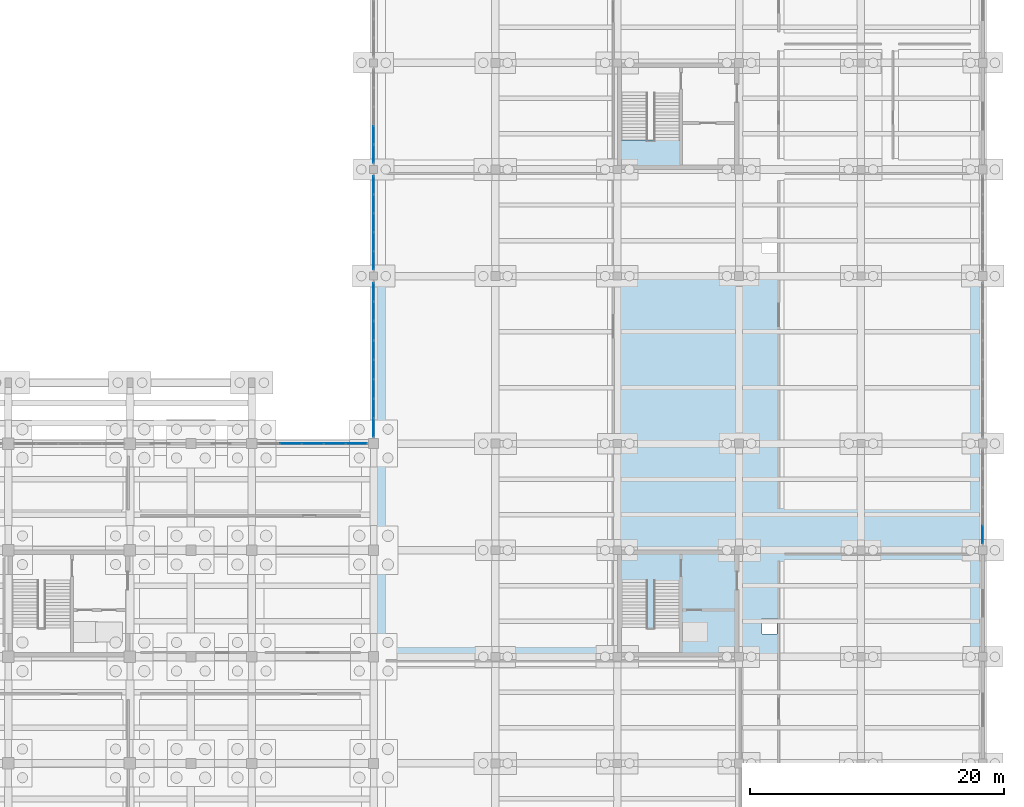
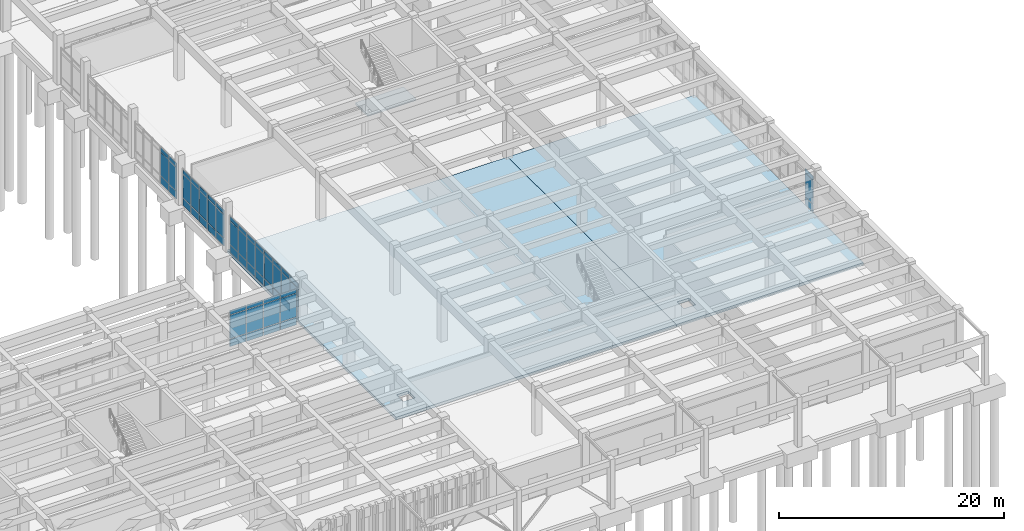
# One storey, part 63 of 102: 60 plates, 3 slabs, 6 elements without a shape of their own.
"""IFC4 building model written with IfcOpenShell, lengths in metres."""

from ifc_helpers import new_model, si_unit, direction, frame, origin, origin_2d, place, context, subcontext, project, spatial, polyline, rectangle, outline, extrude, material, layer, layer_set, type_object, element, aggregate, save


model = new_model("IFC4")

# Units and contexts
model_context = context("Model", 3, precision=1e-05, world=origin(), true_north=direction((0.0, 1.0)))
body_context = subcontext(model_context, "Body", "Model", "MODEL_VIEW")
ifc_project = project(units=[si_unit("LENGTHUNIT", "METRE"), si_unit("AREAUNIT", "SQUARE_METRE"), si_unit("VOLUMEUNIT", "CUBIC_METRE"), si_unit("PLANEANGLEUNIT", "RADIAN"), si_unit("MASSUNIT", "GRAM", prefix="KILO")], contexts=[model_context])

# Site, building, storey
site_placement = place(None, origin())
site = spatial("IfcSite", under=ifc_project, at=site_placement, CompositionType="ELEMENT")
building_placement = place(site_placement, origin())
building = spatial("IfcBuilding", under=site, at=building_placement, Name="Kolvemor Railside Polytechnic", CompositionType="ELEMENT")
storey_placement = place(building_placement, origin())
storey = spatial("IfcBuildingStorey", under=building, at=storey_placement, Name="L00", CompositionType="ELEMENT", Elevation=0.0)

# Curtain wall, plates
ifc_material_1 = material(Name="Anodised marine aluminium and laminated low-E glass", Category="aluminium")
ifc_layer_1 = layer(ifc_material_1, 0.179931640625, Name="CW-UNIT-STD")
ifc_layer_set_1 = layer_set([ifc_layer_1], Name="Anodised marine aluminium and laminated low-E glass")
curtain_wall_type = type_object("IfcCurtainWallType", Name="CW-UNIT-STD", PredefinedType="USERDEFINED", material=ifc_layer_set_1)
curtain_wall_1_placement = place(storey_placement, origin())
curtain_wall_1 = element("IfcCurtainWall", 1, at=curtain_wall_1_placement, inside=storey, type_object=curtain_wall_type, Name="Curtain Wall L00-049", ObjectType="UNITISED CURTAIN WALL", PredefinedType="USERDEFINED")
ifc_material_2 = material(Name="Hurricane-laminated solar-control low-E glass", Category="glass")
ifc_layer_2 = layer(ifc_material_2, 0.0400390625, Name="CWP-GLZ-10")
ifc_layer_set_2 = layer_set([ifc_layer_2], Name="Hurricane-laminated solar-control low-E glass")
plate_type_1 = type_object("IfcPlateType", Name="CWP-GLZ-10", PredefinedType="CURTAIN_PANEL", material=ifc_layer_set_2)
plate_1_placement = place(storey_placement, frame((182.39990234375, 31.23486328125, 0.074951171875), z_axis=(0.0, 0.0, 1.0), x_axis=(0.0, 1.0, 0.0)))
plate_1 = element("IfcPlate", 2, at=plate_1_placement, type_object=plate_type_1, Name="CW-STD panel 1.1", PredefinedType="CURTAIN_PANEL", context=body_context, shape_type="SweptSolid", body=[
    extrude(rectangle(XDim=1.37939453125, YDim=0.0400390625, at=origin_2d()), origin(), (0.0, 0.0, 1.0), 0.78759765625),
])
plate_2_placement = place(storey_placement, frame((182.39990234375, 31.23486328125, 0.9375), z_axis=(0.0, 0.0, 1.0), x_axis=(0.0, 1.0, 0.0)))
plate_2 = element("IfcPlate", 3, at=plate_2_placement, type_object=plate_type_1, Name="CW-STD panel 1.2", PredefinedType="CURTAIN_PANEL", context=body_context, shape_type="SweptSolid", body=[
    extrude(rectangle(XDim=1.37939453125, YDim=0.0400390625, at=origin_2d()), origin(), (0.0, 0.0, 1.0), 2.514892578125),
])
plate_3_placement = place(storey_placement, frame((182.39990234375, 31.23486328125, 3.527587890625), z_axis=(0.0, 0.0, 1.0), x_axis=(0.0, 1.0, 0.0)))
plate_3 = element("IfcPlate", 4, at=plate_3_placement, type_object=plate_type_1, Name="CW-STD panel 1.3", PredefinedType="CURTAIN_PANEL", context=body_context, shape_type="SweptSolid", body=[
    extrude(rectangle(XDim=1.37939453125, YDim=0.0400390625, at=origin_2d()), origin(), (0.0, 0.0, 1.0), 0.4375),
])
aggregate(curtain_wall_1, [plate_1, plate_2, plate_3])

curtain_wall_2_placement = place(storey_placement, origin())
curtain_wall_2 = element("IfcCurtainWall", 5, at=curtain_wall_2_placement, inside=storey, type_object=curtain_wall_type, Name="Curtain Wall L00-112", ObjectType="UNITISED CURTAIN WALL", PredefinedType="USERDEFINED")
ifc_material_3 = material(Name="Hurricane-laminated solar-control low-E glass", Category="glass")
ifc_layer_3 = layer(ifc_material_3, 0.0439453125, Name="CWP-GLZ-12")
ifc_layer_set_3 = layer_set([ifc_layer_3], Name="Hurricane-laminated solar-control low-E glass")
plate_type_2 = type_object("IfcPlateType", Name="CWP-GLZ-12", PredefinedType="CURTAIN_PANEL", material=ifc_layer_set_3)
plate_4_placement = place(storey_placement, frame((133.0478515625, 38.39990234375, 0.06494140625), z_axis=(0.0, 0.0, 1.0), x_axis=(-1.0, 0.0, 0.0)))
plate_4 = element("IfcPlate", 6, at=plate_4_placement, type_object=plate_type_2, Name="CW-STD panel 1.1", PredefinedType="CURTAIN_PANEL", context=body_context, shape_type="SweptSolid", body=[
    extrude(rectangle(XDim=1.634521484375, YDim=0.0439453125, at=origin_2d()), origin(), (0.0, 0.0, 1.0), 0.802490234375),
])
plate_5_placement = place(storey_placement, frame((133.0478515625, 38.39990234375, 0.9326171875), z_axis=(0.0, 0.0, 1.0), x_axis=(-1.0, 0.0, 0.0)))
plate_5 = element("IfcPlate", 7, at=plate_5_placement, type_object=plate_type_2, Name="CW-STD panel 1.2", PredefinedType="CURTAIN_PANEL", context=body_context, shape_type="SweptSolid", body=[
    extrude(rectangle(XDim=1.634521484375, YDim=0.0439453125, at=origin_2d()), origin(), (0.0, 0.0, 1.0), 2.52490234375),
])
plate_6_placement = place(storey_placement, frame((133.0478515625, 38.39990234375, 3.5224609375), z_axis=(0.0, 0.0, 1.0), x_axis=(-1.0, 0.0, 0.0)))
plate_6 = element("IfcPlate", 8, at=plate_6_placement, type_object=plate_type_2, Name="CW-STD panel 1.3", PredefinedType="CURTAIN_PANEL", context=body_context, shape_type="SweptSolid", body=[
    extrude(rectangle(XDim=1.634521484375, YDim=0.0439453125, at=origin_2d()), origin(), (0.0, 0.0, 1.0), 0.452392578125),
])
plate_7_placement = place(storey_placement, frame((131.33203125, 38.39990234375, 0.06494140625), z_axis=(0.0, 0.0, 1.0), x_axis=(-1.0, 0.0, 0.0)))
plate_7 = element("IfcPlate", 9, at=plate_7_placement, type_object=plate_type_2, Name="CW-STD panel 2.1", PredefinedType="CURTAIN_PANEL", context=body_context, shape_type="SweptSolid", body=[
    extrude(rectangle(XDim=1.6669921875, YDim=0.0439453125, at=origin_2d()), origin(), (0.0, 0.0, 1.0), 0.802490234375),
])
plate_8_placement = place(storey_placement, frame((131.33203125, 38.39990234375, 0.9326171875), z_axis=(0.0, 0.0, 1.0), x_axis=(-1.0, 0.0, 0.0)))
plate_8 = element("IfcPlate", 10, at=plate_8_placement, type_object=plate_type_2, Name="CW-STD panel 2.2", PredefinedType="CURTAIN_PANEL", context=body_context, shape_type="SweptSolid", body=[
    extrude(rectangle(XDim=1.6669921875, YDim=0.0439453125, at=origin_2d()), origin(), (0.0, 0.0, 1.0), 2.52490234375),
])
plate_9_placement = place(storey_placement, frame((131.33203125, 38.39990234375, 3.5224609375), z_axis=(0.0, 0.0, 1.0), x_axis=(-1.0, 0.0, 0.0)))
plate_9 = element("IfcPlate", 11, at=plate_9_placement, type_object=plate_type_2, Name="CW-STD panel 2.3", PredefinedType="CURTAIN_PANEL", context=body_context, shape_type="SweptSolid", body=[
    extrude(rectangle(XDim=1.6669921875, YDim=0.0439453125, at=origin_2d()), origin(), (0.0, 0.0, 1.0), 0.452392578125),
])
plate_10_placement = place(storey_placement, frame((129.60009765625, 38.39990234375, 0.06494140625), z_axis=(0.0, 0.0, 1.0), x_axis=(-1.0, 0.0, 0.0)))
plate_10 = element("IfcPlate", 12, at=plate_10_placement, type_object=plate_type_2, Name="CW-STD panel 3.1", PredefinedType="CURTAIN_PANEL", context=body_context, shape_type="SweptSolid", body=[
    extrude(rectangle(XDim=1.6669921875, YDim=0.0439453125, at=origin_2d()), origin(), (0.0, 0.0, 1.0), 0.802490234375),
])
plate_11_placement = place(storey_placement, frame((129.60009765625, 38.39990234375, 0.9326171875), z_axis=(0.0, 0.0, 1.0), x_axis=(-1.0, 0.0, 0.0)))
plate_11 = element("IfcPlate", 13, at=plate_11_placement, type_object=plate_type_2, Name="CW-STD panel 3.2", PredefinedType="CURTAIN_PANEL", context=body_context, shape_type="SweptSolid", body=[
    extrude(rectangle(XDim=1.6669921875, YDim=0.0439453125, at=origin_2d()), origin(), (0.0, 0.0, 1.0), 2.52490234375),
])
plate_12_placement = place(storey_placement, frame((129.60009765625, 38.39990234375, 3.5224609375), z_axis=(0.0, 0.0, 1.0), x_axis=(-1.0, 0.0, 0.0)))
plate_12 = element("IfcPlate", 14, at=plate_12_placement, type_object=plate_type_2, Name="CW-STD panel 3.3", PredefinedType="CURTAIN_PANEL", context=body_context, shape_type="SweptSolid", body=[
    extrude(rectangle(XDim=1.6669921875, YDim=0.0439453125, at=origin_2d()), origin(), (0.0, 0.0, 1.0), 0.452392578125),
])
plate_13_placement = place(storey_placement, frame((127.867919921875, 38.39990234375, 0.06494140625), z_axis=(0.0, 0.0, 1.0), x_axis=(-1.0, 0.0, 0.0)))
plate_13 = element("IfcPlate", 15, at=plate_13_placement, type_object=plate_type_2, Name="CW-STD panel 4.1", PredefinedType="CURTAIN_PANEL", context=body_context, shape_type="SweptSolid", body=[
    extrude(rectangle(XDim=1.6669921875, YDim=0.0439453125, at=origin_2d()), origin(), (0.0, 0.0, 1.0), 0.802490234375),
])
plate_14_placement = place(storey_placement, frame((127.867919921875, 38.39990234375, 0.9326171875), z_axis=(0.0, 0.0, 1.0), x_axis=(-1.0, 0.0, 0.0)))
plate_14 = element("IfcPlate", 16, at=plate_14_placement, type_object=plate_type_2, Name="CW-STD panel 4.2", PredefinedType="CURTAIN_PANEL", context=body_context, shape_type="SweptSolid", body=[
    extrude(rectangle(XDim=1.6669921875, YDim=0.0439453125, at=origin_2d()), origin(), (0.0, 0.0, 1.0), 2.52490234375),
])
plate_15_placement = place(storey_placement, frame((127.867919921875, 38.39990234375, 3.5224609375), z_axis=(0.0, 0.0, 1.0), x_axis=(-1.0, 0.0, 0.0)))
plate_15 = element("IfcPlate", 17, at=plate_15_placement, type_object=plate_type_2, Name="CW-STD panel 4.3", PredefinedType="CURTAIN_PANEL", context=body_context, shape_type="SweptSolid", body=[
    extrude(rectangle(XDim=1.6669921875, YDim=0.0439453125, at=origin_2d()), origin(), (0.0, 0.0, 1.0), 0.452392578125),
])
aggregate(curtain_wall_2, [plate_4, plate_5, plate_6, plate_7, plate_8, plate_9, plate_10, plate_11, plate_12, plate_13, plate_14, plate_15])

curtain_wall_3_placement = place(storey_placement, origin())
curtain_wall_3 = element("IfcCurtainWall", 18, at=curtain_wall_3_placement, inside=storey, type_object=curtain_wall_type, Name="Curtain Wall L00-060", ObjectType="UNITISED CURTAIN WALL", PredefinedType="USERDEFINED")
ifc_material_4 = material(Name="Hurricane-laminated solar-control low-E glass", Category="glass")
ifc_layer_4 = layer(ifc_material_4, 0.0458984375, Name="CWP-GLZ-13")
ifc_layer_set_4 = layer_set([ifc_layer_4], Name="Hurricane-laminated solar-control low-E glass")
plate_type_3 = type_object("IfcPlateType", Name="CWP-GLZ-13", PredefinedType="CURTAIN_PANEL", material=ifc_layer_set_4)
plate_16_placement = place(storey_placement, frame((134.39990234375, 50.344970703125, 0.074951171875), z_axis=(0.0, 0.0, 1.0), x_axis=(0.0, -1.0, 0.0)))
plate_16 = element("IfcPlate", 19, at=plate_16_placement, type_object=plate_type_3, Name="CW-STD panel 1.1", PredefinedType="CURTAIN_PANEL", context=body_context, shape_type="SweptSolid", body=[
    extrude(rectangle(XDim=1.419921875, YDim=0.0458984375, at=origin_2d()), origin(), (0.0, 0.0, 1.0), 0.78759765625),
])
plate_17_placement = place(storey_placement, frame((134.39990234375, 50.344970703125, 0.9375), z_axis=(0.0, 0.0, 1.0), x_axis=(0.0, -1.0, 0.0)))
plate_17 = element("IfcPlate", 20, at=plate_17_placement, type_object=plate_type_3, Name="CW-STD panel 1.2", PredefinedType="CURTAIN_PANEL", context=body_context, shape_type="SweptSolid", body=[
    extrude(rectangle(XDim=1.419921875, YDim=0.0458984375, at=origin_2d()), origin(), (0.0, 0.0, 1.0), 2.514892578125),
])
plate_18_placement = place(storey_placement, frame((134.39990234375, 50.344970703125, 3.527587890625), z_axis=(0.0, 0.0, 1.0), x_axis=(0.0, -1.0, 0.0)))
plate_18 = element("IfcPlate", 21, at=plate_18_placement, type_object=plate_type_3, Name="CW-STD panel 1.3", PredefinedType="CURTAIN_PANEL", context=body_context, shape_type="SweptSolid", body=[
    extrude(rectangle(XDim=1.419921875, YDim=0.0458984375, at=origin_2d()), origin(), (0.0, 0.0, 1.0), 0.4375),
])
plate_19_placement = place(storey_placement, frame((134.39990234375, 48.831298828125, 0.074951171875), z_axis=(0.0, 0.0, 1.0), x_axis=(0.0, -1.0, 0.0)))
plate_19 = element("IfcPlate", 22, at=plate_19_placement, type_object=plate_type_3, Name="CW-STD panel 2.1", PredefinedType="CURTAIN_PANEL", context=body_context, shape_type="SweptSolid", body=[
    extrude(rectangle(XDim=1.45751953125, YDim=0.0458984375, at=origin_2d()), origin(), (0.0, 0.0, 1.0), 0.78759765625),
])
plate_20_placement = place(storey_placement, frame((134.39990234375, 48.831298828125, 0.9375), z_axis=(0.0, 0.0, 1.0), x_axis=(0.0, -1.0, 0.0)))
plate_20 = element("IfcPlate", 23, at=plate_20_placement, type_object=plate_type_3, Name="CW-STD panel 2.2", PredefinedType="CURTAIN_PANEL", context=body_context, shape_type="SweptSolid", body=[
    extrude(rectangle(XDim=1.45751953125, YDim=0.0458984375, at=origin_2d()), origin(), (0.0, 0.0, 1.0), 2.514892578125),
])
plate_21_placement = place(storey_placement, frame((134.39990234375, 48.831298828125, 3.527587890625), z_axis=(0.0, 0.0, 1.0), x_axis=(0.0, -1.0, 0.0)))
plate_21 = element("IfcPlate", 24, at=plate_21_placement, type_object=plate_type_3, Name="CW-STD panel 2.3", PredefinedType="CURTAIN_PANEL", context=body_context, shape_type="SweptSolid", body=[
    extrude(rectangle(XDim=1.45751953125, YDim=0.0458984375, at=origin_2d()), origin(), (0.0, 0.0, 1.0), 0.4375),
])
plate_22_placement = place(storey_placement, frame((134.39990234375, 47.298828125, 0.074951171875), z_axis=(0.0, 0.0, 1.0), x_axis=(0.0, -1.0, 0.0)))
plate_22 = element("IfcPlate", 25, at=plate_22_placement, type_object=plate_type_3, Name="CW-STD panel 3.1", PredefinedType="CURTAIN_PANEL", context=body_context, shape_type="SweptSolid", body=[
    extrude(rectangle(XDim=1.45751953125, YDim=0.0458984375, at=origin_2d()), origin(), (0.0, 0.0, 1.0), 0.78759765625),
])
plate_23_placement = place(storey_placement, frame((134.39990234375, 47.298828125, 0.9375), z_axis=(0.0, 0.0, 1.0), x_axis=(0.0, -1.0, 0.0)))
plate_23 = element("IfcPlate", 26, at=plate_23_placement, type_object=plate_type_3, Name="CW-STD panel 3.2", PredefinedType="CURTAIN_PANEL", context=body_context, shape_type="SweptSolid", body=[
    extrude(rectangle(XDim=1.45751953125, YDim=0.0458984375, at=origin_2d()), origin(), (0.0, 0.0, 1.0), 2.514892578125),
])
plate_24_placement = place(storey_placement, frame((134.39990234375, 47.298828125, 3.527587890625), z_axis=(0.0, 0.0, 1.0), x_axis=(0.0, -1.0, 0.0)))
plate_24 = element("IfcPlate", 27, at=plate_24_placement, type_object=plate_type_3, Name="CW-STD panel 3.3", PredefinedType="CURTAIN_PANEL", context=body_context, shape_type="SweptSolid", body=[
    extrude(rectangle(XDim=1.45751953125, YDim=0.0458984375, at=origin_2d()), origin(), (0.0, 0.0, 1.0), 0.4375),
])
plate_25_placement = place(storey_placement, frame((134.39990234375, 45.766357421875, 0.074951171875), z_axis=(0.0, 0.0, 1.0), x_axis=(0.0, -1.0, 0.0)))
plate_25 = element("IfcPlate", 28, at=plate_25_placement, type_object=plate_type_3, Name="CW-STD panel 4.1", PredefinedType="CURTAIN_PANEL", context=body_context, shape_type="SweptSolid", body=[
    extrude(rectangle(XDim=1.45751953125, YDim=0.0458984375, at=origin_2d()), origin(), (0.0, 0.0, 1.0), 0.78759765625),
])
plate_26_placement = place(storey_placement, frame((134.39990234375, 45.766357421875, 0.9375), z_axis=(0.0, 0.0, 1.0), x_axis=(0.0, -1.0, 0.0)))
plate_26 = element("IfcPlate", 29, at=plate_26_placement, type_object=plate_type_3, Name="CW-STD panel 4.2", PredefinedType="CURTAIN_PANEL", context=body_context, shape_type="SweptSolid", body=[
    extrude(rectangle(XDim=1.45751953125, YDim=0.0458984375, at=origin_2d()), origin(), (0.0, 0.0, 1.0), 2.514892578125),
])
plate_27_placement = place(storey_placement, frame((134.39990234375, 45.766357421875, 3.527587890625), z_axis=(0.0, 0.0, 1.0), x_axis=(0.0, -1.0, 0.0)))
plate_27 = element("IfcPlate", 30, at=plate_27_placement, type_object=plate_type_3, Name="CW-STD panel 4.3", PredefinedType="CURTAIN_PANEL", context=body_context, shape_type="SweptSolid", body=[
    extrude(rectangle(XDim=1.45751953125, YDim=0.0458984375, at=origin_2d()), origin(), (0.0, 0.0, 1.0), 0.4375),
])
plate_28_placement = place(storey_placement, frame((134.39990234375, 44.233642578125, 0.074951171875), z_axis=(0.0, 0.0, 1.0), x_axis=(0.0, -1.0, 0.0)))
plate_28 = element("IfcPlate", 31, at=plate_28_placement, type_object=plate_type_3, Name="CW-STD panel 5.1", PredefinedType="CURTAIN_PANEL", context=body_context, shape_type="SweptSolid", body=[
    extrude(rectangle(XDim=1.45751953125, YDim=0.0458984375, at=origin_2d()), origin(), (0.0, 0.0, 1.0), 0.78759765625),
])
plate_29_placement = place(storey_placement, frame((134.39990234375, 44.233642578125, 0.9375), z_axis=(0.0, 0.0, 1.0), x_axis=(0.0, -1.0, 0.0)))
plate_29 = element("IfcPlate", 32, at=plate_29_placement, type_object=plate_type_3, Name="CW-STD panel 5.2", PredefinedType="CURTAIN_PANEL", context=body_context, shape_type="SweptSolid", body=[
    extrude(rectangle(XDim=1.45751953125, YDim=0.0458984375, at=origin_2d()), origin(), (0.0, 0.0, 1.0), 2.514892578125),
])
plate_30_placement = place(storey_placement, frame((134.39990234375, 44.233642578125, 3.527587890625), z_axis=(0.0, 0.0, 1.0), x_axis=(0.0, -1.0, 0.0)))
plate_30 = element("IfcPlate", 33, at=plate_30_placement, type_object=plate_type_3, Name="CW-STD panel 5.3", PredefinedType="CURTAIN_PANEL", context=body_context, shape_type="SweptSolid", body=[
    extrude(rectangle(XDim=1.45751953125, YDim=0.0458984375, at=origin_2d()), origin(), (0.0, 0.0, 1.0), 0.4375),
])
plate_31_placement = place(storey_placement, frame((134.39990234375, 42.701171875, 0.074951171875), z_axis=(0.0, 0.0, 1.0), x_axis=(0.0, -1.0, 0.0)))
plate_31 = element("IfcPlate", 34, at=plate_31_placement, type_object=plate_type_3, Name="CW-STD panel 6.1", PredefinedType="CURTAIN_PANEL", context=body_context, shape_type="SweptSolid", body=[
    extrude(rectangle(XDim=1.45751953125, YDim=0.0458984375, at=origin_2d()), origin(), (0.0, 0.0, 1.0), 0.78759765625),
])
plate_32_placement = place(storey_placement, frame((134.39990234375, 42.701171875, 0.9375), z_axis=(0.0, 0.0, 1.0), x_axis=(0.0, -1.0, 0.0)))
plate_32 = element("IfcPlate", 35, at=plate_32_placement, type_object=plate_type_3, Name="CW-STD panel 6.2", PredefinedType="CURTAIN_PANEL", context=body_context, shape_type="SweptSolid", body=[
    extrude(rectangle(XDim=1.45751953125, YDim=0.0458984375, at=origin_2d()), origin(), (0.0, 0.0, 1.0), 2.514892578125),
])
plate_33_placement = place(storey_placement, frame((134.39990234375, 42.701171875, 3.527587890625), z_axis=(0.0, 0.0, 1.0), x_axis=(0.0, -1.0, 0.0)))
plate_33 = element("IfcPlate", 36, at=plate_33_placement, type_object=plate_type_3, Name="CW-STD panel 6.3", PredefinedType="CURTAIN_PANEL", context=body_context, shape_type="SweptSolid", body=[
    extrude(rectangle(XDim=1.45751953125, YDim=0.0458984375, at=origin_2d()), origin(), (0.0, 0.0, 1.0), 0.4375),
])
plate_34_placement = place(storey_placement, frame((134.39990234375, 41.168701171875, 0.074951171875), z_axis=(0.0, 0.0, 1.0), x_axis=(0.0, -1.0, 0.0)))
plate_34 = element("IfcPlate", 37, at=plate_34_placement, type_object=plate_type_3, Name="CW-STD panel 7.1", PredefinedType="CURTAIN_PANEL", context=body_context, shape_type="SweptSolid", body=[
    extrude(rectangle(XDim=1.45751953125, YDim=0.0458984375, at=origin_2d()), origin(), (0.0, 0.0, 1.0), 0.78759765625),
])
plate_35_placement = place(storey_placement, frame((134.39990234375, 41.168701171875, 0.9375), z_axis=(0.0, 0.0, 1.0), x_axis=(0.0, -1.0, 0.0)))
plate_35 = element("IfcPlate", 38, at=plate_35_placement, type_object=plate_type_3, Name="CW-STD panel 7.2", PredefinedType="CURTAIN_PANEL", context=body_context, shape_type="SweptSolid", body=[
    extrude(rectangle(XDim=1.45751953125, YDim=0.0458984375, at=origin_2d()), origin(), (0.0, 0.0, 1.0), 2.514892578125),
])
plate_36_placement = place(storey_placement, frame((134.39990234375, 41.168701171875, 3.527587890625), z_axis=(0.0, 0.0, 1.0), x_axis=(0.0, -1.0, 0.0)))
plate_36 = element("IfcPlate", 39, at=plate_36_placement, type_object=plate_type_3, Name="CW-STD panel 7.3", PredefinedType="CURTAIN_PANEL", context=body_context, shape_type="SweptSolid", body=[
    extrude(rectangle(XDim=1.45751953125, YDim=0.0458984375, at=origin_2d()), origin(), (0.0, 0.0, 1.0), 0.4375),
])
plate_37_placement = place(storey_placement, frame((134.39990234375, 39.655029296875, 0.074951171875), z_axis=(0.0, 0.0, 1.0), x_axis=(0.0, -1.0, 0.0)))
plate_37 = element("IfcPlate", 40, at=plate_37_placement, type_object=plate_type_3, Name="CW-STD panel 8.1", PredefinedType="CURTAIN_PANEL", context=body_context, shape_type="SweptSolid", body=[
    extrude(rectangle(XDim=1.419921875, YDim=0.0458984375, at=origin_2d()), origin(), (0.0, 0.0, 1.0), 0.78759765625),
])
plate_38_placement = place(storey_placement, frame((134.39990234375, 39.655029296875, 0.9375), z_axis=(0.0, 0.0, 1.0), x_axis=(0.0, -1.0, 0.0)))
plate_38 = element("IfcPlate", 41, at=plate_38_placement, type_object=plate_type_3, Name="CW-STD panel 8.2", PredefinedType="CURTAIN_PANEL", context=body_context, shape_type="SweptSolid", body=[
    extrude(rectangle(XDim=1.419921875, YDim=0.0458984375, at=origin_2d()), origin(), (0.0, 0.0, 1.0), 2.514892578125),
])
plate_39_placement = place(storey_placement, frame((134.39990234375, 39.655029296875, 3.527587890625), z_axis=(0.0, 0.0, 1.0), x_axis=(0.0, -1.0, 0.0)))
plate_39 = element("IfcPlate", 42, at=plate_39_placement, type_object=plate_type_3, Name="CW-STD panel 8.3", PredefinedType="CURTAIN_PANEL", context=body_context, shape_type="SweptSolid", body=[
    extrude(rectangle(XDim=1.419921875, YDim=0.0458984375, at=origin_2d()), origin(), (0.0, 0.0, 1.0), 0.4375),
])
aggregate(curtain_wall_3, [plate_16, plate_17, plate_18, plate_19, plate_20, plate_21, plate_22, plate_23, plate_24, plate_25, plate_26, plate_27, plate_28, plate_29, plate_30, plate_31, plate_32, plate_33, plate_34, plate_35, plate_36, plate_37, plate_38, plate_39])

curtain_wall_4_placement = place(storey_placement, origin())
curtain_wall_4 = element("IfcCurtainWall", 43, at=curtain_wall_4_placement, inside=storey, type_object=curtain_wall_type, Name="Curtain Wall L00-070", ObjectType="UNITISED CURTAIN WALL", PredefinedType="USERDEFINED")
ifc_material_5 = material(Name="Hurricane-laminated solar-control low-E glass", Category="glass")
ifc_layer_5 = layer(ifc_material_5, 0.048095703125, Name="CWP-GLZ-14")
ifc_layer_set_5 = layer_set([ifc_layer_5], Name="Hurricane-laminated solar-control low-E glass")
plate_type_4 = type_object("IfcPlateType", Name="CWP-GLZ-14", PredefinedType="CURTAIN_PANEL", material=ifc_layer_set_5)
plate_40_placement = place(storey_placement, frame((134.39990234375, 58.76513671875, 0.074951171875), z_axis=(0.0, 0.0, 1.0), x_axis=(0.0, -1.0, 0.0)))
plate_40 = element("IfcPlate", 44, at=plate_40_placement, type_object=plate_type_4, Name="CW-STD panel 1.1", PredefinedType="CURTAIN_PANEL", context=body_context, shape_type="SweptSolid", body=[
    extrude(rectangle(XDim=1.37939453125, YDim=0.048095703125, at=origin_2d()), origin(), (0.0, 0.0, 1.0), 0.78759765625),
])
plate_41_placement = place(storey_placement, frame((134.39990234375, 58.76513671875, 0.9375), z_axis=(0.0, 0.0, 1.0), x_axis=(0.0, -1.0, 0.0)))
plate_41 = element("IfcPlate", 45, at=plate_41_placement, type_object=plate_type_4, Name="CW-STD panel 1.2", PredefinedType="CURTAIN_PANEL", context=body_context, shape_type="SweptSolid", body=[
    extrude(rectangle(XDim=1.37939453125, YDim=0.048095703125, at=origin_2d()), origin(), (0.0, 0.0, 1.0), 2.514892578125),
])
plate_42_placement = place(storey_placement, frame((134.39990234375, 58.76513671875, 3.527587890625), z_axis=(0.0, 0.0, 1.0), x_axis=(0.0, -1.0, 0.0)))
plate_42 = element("IfcPlate", 46, at=plate_42_placement, type_object=plate_type_4, Name="CW-STD panel 1.3", PredefinedType="CURTAIN_PANEL", context=body_context, shape_type="SweptSolid", body=[
    extrude(rectangle(XDim=1.37939453125, YDim=0.048095703125, at=origin_2d()), origin(), (0.0, 0.0, 1.0), 0.4375),
])
plate_43_placement = place(storey_placement, frame((134.39990234375, 57.2919921875, 0.074951171875), z_axis=(0.0, 0.0, 1.0), x_axis=(0.0, -1.0, 0.0)))
plate_43 = element("IfcPlate", 47, at=plate_43_placement, type_object=plate_type_4, Name="CW-STD panel 2.1", PredefinedType="CURTAIN_PANEL", context=body_context, shape_type="SweptSolid", body=[
    extrude(rectangle(XDim=1.4169921875, YDim=0.048095703125, at=origin_2d()), origin(), (0.0, 0.0, 1.0), 0.78759765625),
])
plate_44_placement = place(storey_placement, frame((134.39990234375, 57.2919921875, 0.9375), z_axis=(0.0, 0.0, 1.0), x_axis=(0.0, -1.0, 0.0)))
plate_44 = element("IfcPlate", 48, at=plate_44_placement, type_object=plate_type_4, Name="CW-STD panel 2.2", PredefinedType="CURTAIN_PANEL", context=body_context, shape_type="SweptSolid", body=[
    extrude(rectangle(XDim=1.4169921875, YDim=0.048095703125, at=origin_2d()), origin(), (0.0, 0.0, 1.0), 2.514892578125),
])
plate_45_placement = place(storey_placement, frame((134.39990234375, 57.2919921875, 3.527587890625), z_axis=(0.0, 0.0, 1.0), x_axis=(0.0, -1.0, 0.0)))
plate_45 = element("IfcPlate", 49, at=plate_45_placement, type_object=plate_type_4, Name="CW-STD panel 2.3", PredefinedType="CURTAIN_PANEL", context=body_context, shape_type="SweptSolid", body=[
    extrude(rectangle(XDim=1.4169921875, YDim=0.048095703125, at=origin_2d()), origin(), (0.0, 0.0, 1.0), 0.4375),
])
plate_46_placement = place(storey_placement, frame((134.39990234375, 55.800048828125, 0.074951171875), z_axis=(0.0, 0.0, 1.0), x_axis=(0.0, -1.0, 0.0)))
plate_46 = element("IfcPlate", 50, at=plate_46_placement, type_object=plate_type_4, Name="CW-STD panel 3.1", PredefinedType="CURTAIN_PANEL", context=body_context, shape_type="SweptSolid", body=[
    extrude(rectangle(XDim=1.4169921875, YDim=0.048095703125, at=origin_2d()), origin(), (0.0, 0.0, 1.0), 0.78759765625),
])
plate_47_placement = place(storey_placement, frame((134.39990234375, 55.800048828125, 0.9375), z_axis=(0.0, 0.0, 1.0), x_axis=(0.0, -1.0, 0.0)))
plate_47 = element("IfcPlate", 51, at=plate_47_placement, type_object=plate_type_4, Name="CW-STD panel 3.2", PredefinedType="CURTAIN_PANEL", context=body_context, shape_type="SweptSolid", body=[
    extrude(rectangle(XDim=1.4169921875, YDim=0.048095703125, at=origin_2d()), origin(), (0.0, 0.0, 1.0), 2.514892578125),
])
plate_48_placement = place(storey_placement, frame((134.39990234375, 55.800048828125, 3.527587890625), z_axis=(0.0, 0.0, 1.0), x_axis=(0.0, -1.0, 0.0)))
plate_48 = element("IfcPlate", 52, at=plate_48_placement, type_object=plate_type_4, Name="CW-STD panel 3.3", PredefinedType="CURTAIN_PANEL", context=body_context, shape_type="SweptSolid", body=[
    extrude(rectangle(XDim=1.4169921875, YDim=0.048095703125, at=origin_2d()), origin(), (0.0, 0.0, 1.0), 0.4375),
])
plate_49_placement = place(storey_placement, frame((134.39990234375, 54.30810546875, 0.074951171875), z_axis=(0.0, 0.0, 1.0), x_axis=(0.0, -1.0, 0.0)))
plate_49 = element("IfcPlate", 53, at=plate_49_placement, type_object=plate_type_4, Name="CW-STD panel 4.1", PredefinedType="CURTAIN_PANEL", context=body_context, shape_type="SweptSolid", body=[
    extrude(rectangle(XDim=1.4169921875, YDim=0.048095703125, at=origin_2d()), origin(), (0.0, 0.0, 1.0), 0.78759765625),
])
plate_50_placement = place(storey_placement, frame((134.39990234375, 54.30810546875, 0.9375), z_axis=(0.0, 0.0, 1.0), x_axis=(0.0, -1.0, 0.0)))
plate_50 = element("IfcPlate", 54, at=plate_50_placement, type_object=plate_type_4, Name="CW-STD panel 4.2", PredefinedType="CURTAIN_PANEL", context=body_context, shape_type="SweptSolid", body=[
    extrude(rectangle(XDim=1.4169921875, YDim=0.048095703125, at=origin_2d()), origin(), (0.0, 0.0, 1.0), 2.514892578125),
])
plate_51_placement = place(storey_placement, frame((134.39990234375, 54.30810546875, 3.527587890625), z_axis=(0.0, 0.0, 1.0), x_axis=(0.0, -1.0, 0.0)))
plate_51 = element("IfcPlate", 55, at=plate_51_placement, type_object=plate_type_4, Name="CW-STD panel 4.3", PredefinedType="CURTAIN_PANEL", context=body_context, shape_type="SweptSolid", body=[
    extrude(rectangle(XDim=1.4169921875, YDim=0.048095703125, at=origin_2d()), origin(), (0.0, 0.0, 1.0), 0.4375),
])
plate_52_placement = place(storey_placement, frame((134.39990234375, 52.834716796875, 0.074951171875), z_axis=(0.0, 0.0, 1.0), x_axis=(0.0, -1.0, 0.0)))
plate_52 = element("IfcPlate", 56, at=plate_52_placement, type_object=plate_type_4, Name="CW-STD panel 5.1", PredefinedType="CURTAIN_PANEL", context=body_context, shape_type="SweptSolid", body=[
    extrude(rectangle(XDim=1.37939453125, YDim=0.048095703125, at=origin_2d()), origin(), (0.0, 0.0, 1.0), 0.78759765625),
])
plate_53_placement = place(storey_placement, frame((134.39990234375, 52.834716796875, 0.9375), z_axis=(0.0, 0.0, 1.0), x_axis=(0.0, -1.0, 0.0)))
plate_53 = element("IfcPlate", 57, at=plate_53_placement, type_object=plate_type_4, Name="CW-STD panel 5.2", PredefinedType="CURTAIN_PANEL", context=body_context, shape_type="SweptSolid", body=[
    extrude(rectangle(XDim=1.37939453125, YDim=0.048095703125, at=origin_2d()), origin(), (0.0, 0.0, 1.0), 2.514892578125),
])
plate_54_placement = place(storey_placement, frame((134.39990234375, 52.834716796875, 3.527587890625), z_axis=(0.0, 0.0, 1.0), x_axis=(0.0, -1.0, 0.0)))
plate_54 = element("IfcPlate", 58, at=plate_54_placement, type_object=plate_type_4, Name="CW-STD panel 5.3", PredefinedType="CURTAIN_PANEL", context=body_context, shape_type="SweptSolid", body=[
    extrude(rectangle(XDim=1.37939453125, YDim=0.048095703125, at=origin_2d()), origin(), (0.0, 0.0, 1.0), 0.4375),
])
aggregate(curtain_wall_4, [plate_40, plate_41, plate_42, plate_43, plate_44, plate_45, plate_46, plate_47, plate_48, plate_49, plate_50, plate_51, plate_52, plate_53, plate_54])

curtain_wall_5_placement = place(storey_placement, origin())
curtain_wall_5 = element("IfcCurtainWall", 59, at=curtain_wall_5_placement, inside=storey, type_object=curtain_wall_type, Name="Curtain Wall L00-079", ObjectType="UNITISED CURTAIN WALL", PredefinedType="USERDEFINED")
ifc_material_6 = material(Name="Hurricane-laminated solar-control low-E glass", Category="glass")
ifc_layer_6 = layer(ifc_material_6, 0.050048828125, Name="CWP-GLZ-15")
ifc_layer_set_6 = layer_set([ifc_layer_6], Name="Hurricane-laminated solar-control low-E glass")
plate_type_5 = type_object("IfcPlateType", Name="CWP-GLZ-15", PredefinedType="CURTAIN_PANEL", material=ifc_layer_set_6)
plate_55_placement = place(storey_placement, frame((134.39990234375, 62.7080078125, 0.074951171875), z_axis=(0.0, 0.0, 1.0), x_axis=(0.0, -1.0, 0.0)))
plate_55 = element("IfcPlate", 60, at=plate_55_placement, type_object=plate_type_5, Name="CW-STD panel 4.1", PredefinedType="CURTAIN_PANEL", context=body_context, shape_type="SweptSolid", body=[
    extrude(rectangle(XDim=1.4169921875, YDim=0.050048828125, at=origin_2d()), origin(), (0.0, 0.0, 1.0), 0.78759765625),
])
plate_56_placement = place(storey_placement, frame((134.39990234375, 62.7080078125, 0.9375), z_axis=(0.0, 0.0, 1.0), x_axis=(0.0, -1.0, 0.0)))
plate_56 = element("IfcPlate", 61, at=plate_56_placement, type_object=plate_type_5, Name="CW-STD panel 4.2", PredefinedType="CURTAIN_PANEL", context=body_context, shape_type="SweptSolid", body=[
    extrude(rectangle(XDim=1.4169921875, YDim=0.050048828125, at=origin_2d()), origin(), (0.0, 0.0, 1.0), 2.514892578125),
])
plate_57_placement = place(storey_placement, frame((134.39990234375, 62.7080078125, 3.527587890625), z_axis=(0.0, 0.0, 1.0), x_axis=(0.0, -1.0, 0.0)))
plate_57 = element("IfcPlate", 62, at=plate_57_placement, type_object=plate_type_5, Name="CW-STD panel 4.3", PredefinedType="CURTAIN_PANEL", context=body_context, shape_type="SweptSolid", body=[
    extrude(rectangle(XDim=1.4169921875, YDim=0.050048828125, at=origin_2d()), origin(), (0.0, 0.0, 1.0), 0.4375),
])
plate_58_placement = place(storey_placement, frame((134.39990234375, 61.23486328125, 0.074951171875), z_axis=(0.0, 0.0, 1.0), x_axis=(0.0, -1.0, 0.0)))
plate_58 = element("IfcPlate", 63, at=plate_58_placement, type_object=plate_type_5, Name="CW-STD panel 5.1", PredefinedType="CURTAIN_PANEL", context=body_context, shape_type="SweptSolid", body=[
    extrude(rectangle(XDim=1.37939453125, YDim=0.050048828125, at=origin_2d()), origin(), (0.0, 0.0, 1.0), 0.78759765625),
])
plate_59_placement = place(storey_placement, frame((134.39990234375, 61.23486328125, 0.9375), z_axis=(0.0, 0.0, 1.0), x_axis=(0.0, -1.0, 0.0)))
plate_59 = element("IfcPlate", 64, at=plate_59_placement, type_object=plate_type_5, Name="CW-STD panel 5.2", PredefinedType="CURTAIN_PANEL", context=body_context, shape_type="SweptSolid", body=[
    extrude(rectangle(XDim=1.37939453125, YDim=0.050048828125, at=origin_2d()), origin(), (0.0, 0.0, 1.0), 2.514892578125),
])
plate_60_placement = place(storey_placement, frame((134.39990234375, 61.23486328125, 3.527587890625), z_axis=(0.0, 0.0, 1.0), x_axis=(0.0, -1.0, 0.0)))
plate_60 = element("IfcPlate", 65, at=plate_60_placement, type_object=plate_type_5, Name="CW-STD panel 5.3", PredefinedType="CURTAIN_PANEL", context=body_context, shape_type="SweptSolid", body=[
    extrude(rectangle(XDim=1.37939453125, YDim=0.050048828125, at=origin_2d()), origin(), (0.0, 0.0, 1.0), 0.4375),
])
aggregate(curtain_wall_5, [plate_55, plate_56, plate_57, plate_58, plate_59, plate_60])

# Slabs
ifc_material_7 = material(Name="Concrete C40/50", Category="concrete")
ifc_layer_7 = layer(ifc_material_7, 0.300048828125, Name="SLB-BASE-STD")
ifc_layer_set_7 = layer_set([ifc_layer_7], Name="Concrete C40/50")
slab_type_1 = type_object("IfcSlabType", Name="SLB-BASE-STD", PredefinedType="BASESLAB", material=ifc_layer_set_7)
slab_1_placement = place(storey_placement, frame((0.0, 0.0, -0.300048828125)))
element("IfcSlab", 66, at=slab_1_placement, inside=storey, type_object=slab_type_1, Name="Union Wing Base Slab L00-17", PredefinedType="BASESLAB", context=body_context, shape_type="SweptSolid", body=[
    extrude(outline(polyline([(134.39990234375, 21.60009765625), (163.199951171875, 21.60009765625), (163.199951171875, 51.60009765625), (134.39990234375, 51.60009765625), (134.39990234375, 21.60009765625)]), holes=[polyline([(136.199951171875, 23.39990234375), (137.39990234375, 23.39990234375), (137.39990234375, 24.60009765625), (136.199951171875, 24.60009765625), (136.199951171875, 23.39990234375)])]), origin(), (0.0, 0.0, 1.0), 0.300048828125),
])
slab_2_placement = place(storey_placement, frame((0.0, 0.0, -0.300048828125)))
element("IfcSlab", 67, at=slab_2_placement, inside=storey, type_object=slab_type_1, Name="Union Wing Base Slab L00-20", PredefinedType="BASESLAB", context=body_context, shape_type="SweptSolid", body=[
    extrude(outline(polyline([(163.199951171875, 21.60009765625), (182.39990234375, 21.60009765625), (182.39990234375, 51.60009765625), (163.199951171875, 51.60009765625), (163.199951171875, 21.60009765625)]), holes=[polyline([(165.0, 23.39990234375), (166.199951171875, 23.39990234375), (166.199951171875, 24.60009765625), (165.0, 24.60009765625), (165.0, 23.39990234375)])]), origin(), (0.0, 0.0, 1.0), 0.300048828125),
])

# Stair, slab
ifc_material_8 = material(Name="Concrete C40/50", Category="concrete")
stair_type = type_object("IfcStairType", Name="STR-CORE-540", PredefinedType="HALF_TURN_STAIR", material=ifc_material_8)
stair_placement = place(storey_placement, origin())
stair = element("IfcStair", 68, at=stair_placement, inside=storey, type_object=stair_type, Name="Core Stair ST-7 (L00 to L01)", PredefinedType="HALF_TURN_STAIR")
ifc_material_9 = material(Name="Concrete C40/50", Category="concrete")
ifc_layer_8 = layer(ifc_material_9, 0.199951171875, Name="SLB-LND-200")
ifc_layer_set_8 = layer_set([ifc_layer_8], Name="Concrete C40/50")
slab_type_2 = type_object("IfcSlabType", Name="SLB-LND-200", PredefinedType="LANDING", material=ifc_layer_set_8)
slab_3_placement = place(storey_placement, frame((0.0, 0.0, 2.5)))
slab_3 = element("IfcSlab", 69, at=slab_3_placement, type_object=slab_type_2, Name="ST-7-L00 landing 1", PredefinedType="LANDING", context=body_context, shape_type="SweptSolid", body=[
    extrude(outline(polyline([(153.75, 60.14990234375), (158.699951171875, 60.14990234375), (158.699951171875, 62.320068359375), (153.75, 62.320068359375), (153.75, 60.14990234375)])), origin(), (0.0, 0.0, 1.0), 0.199951171875),
])
aggregate(stair, [slab_3])

save(model, "model.ifc")
